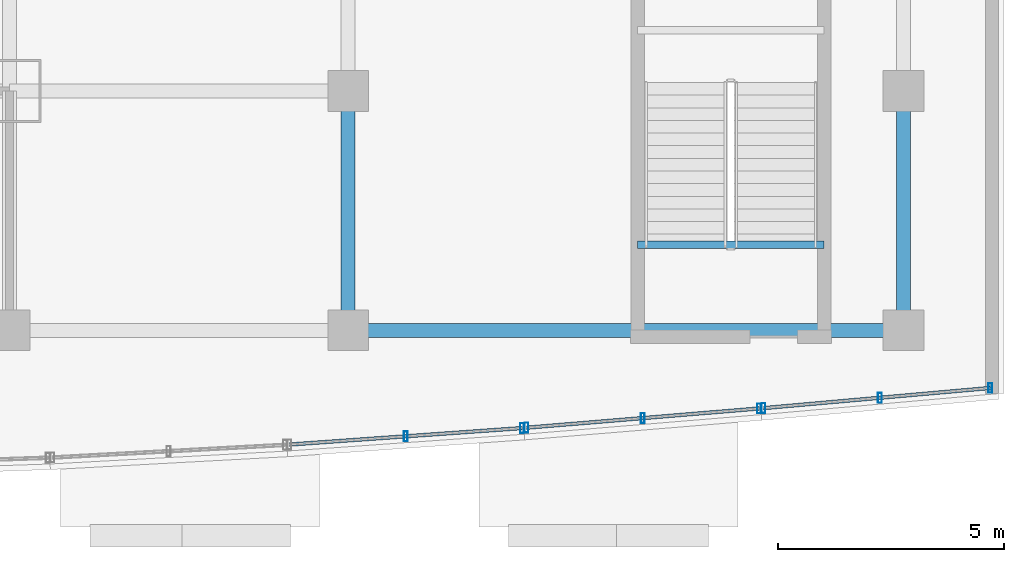
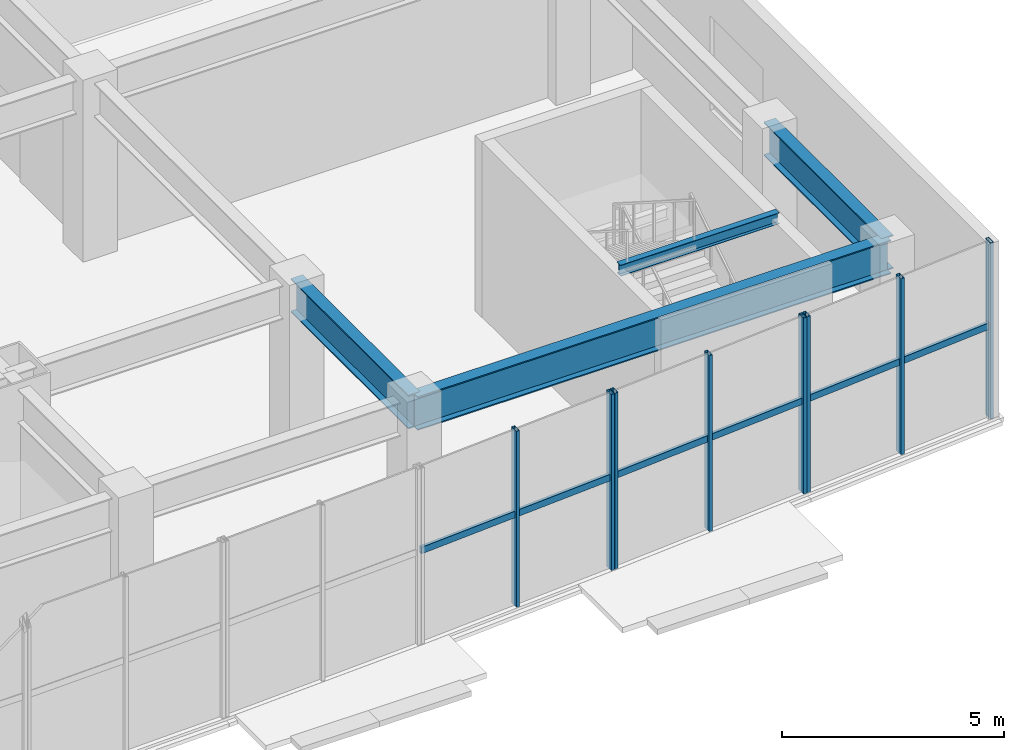
# One storey, part 9 of 24: 11 members, 4 beams, 3 elements without a shape of their own.
"""IFC4 building model written with IfcOpenShell, lengths in metres."""

import ifcopenshell
import ifcopenshell.guid

model = None  # the IFC model being written
_history = None  # IfcOwnerHistory: only IFC2X3 demands one
_inside = {}  # id of a spatial element -> (the spatial element, [elements in it])
_under = {}  # id of a project, library or spatial element -> (it, [spatial elements below it])
_declared = {}  # id of a project -> (the project, [libraries it declares])
_typed = {}  # id of a type object -> (the type object, [elements of that type])
_made_of = {}  # id of a material, layer set ... -> (it, [elements and type objects made of it])


def new_model(schema):
    """Start an empty IFC model of exactly this schema.

    Asked for "IFC4X3", IfcOpenShell would pick the latest addendum, in which some entities
    have other attributes; the version numbers below select the first issue.
    IFC2X3 requires an IfcOwnerHistory on every rooted entity: one is made here for all.
    """
    global model, _history
    if schema == "IFC4X3":
        model = ifcopenshell.file(schema_version=(4, 3, 0, 0))
    else:
        model = ifcopenshell.file(schema=schema)
    _inside.clear()
    _under.clear()
    _declared.clear()
    _typed.clear()
    _made_of.clear()
    _history = None
    if model.schema == "IFC2X3":
        org = make("IfcOrganization", Name="unknown")
        user = make(
            "IfcPersonAndOrganization",
            ThePerson=make("IfcPerson", FamilyName="unknown"),
            TheOrganization=org,
        )
        app = make(
            "IfcApplication",
            ApplicationDeveloper=org,
            Version="unknown",
            ApplicationFullName="unknown",
            ApplicationIdentifier="unknown",
        )
        _history = make(
            "IfcOwnerHistory",
            OwningUser=user,
            OwningApplication=app,
            ChangeAction="ADDED",
            CreationDate=0,
        )
    return model


def make(cls, **values):
    """One entity of the class cls with the attributes given. An attribute that is None is left unset."""
    return model.create_entity(
        cls, **{name: value for name, value in values.items() if value is not None}
    )


def rooted(cls, **values):
    """An entity with a GlobalId (a new one), such as an element, a storey or a relation."""
    return make(cls, GlobalId=ifcopenshell.guid.new(), OwnerHistory=_history, **values)


def si_unit(unit_type, name, prefix=None):
    """IfcSIUnit, for example si_unit("LENGTHUNIT", "METRE", prefix="MILLI")."""
    return make("IfcSIUnit", UnitType=unit_type, Prefix=prefix, Name=name)


def assignment(units):
    """IfcUnitAssignment: the units of a project."""
    return None if units is None else make("IfcUnitAssignment", Units=units)


def point(xyz):
    """IfcCartesianPoint."""
    return None if xyz is None else make("IfcCartesianPoint", Coordinates=xyz)


def direction(xyz):
    """IfcDirection."""
    return None if xyz is None else make("IfcDirection", DirectionRatios=xyz)


def frame(location, z_axis=None, x_axis=None):
    """IfcAxis2Placement3D, a coordinate frame: its origin and axes. An axis left out is left unset."""
    return make(
        "IfcAxis2Placement3D",
        Location=point(location),
        Axis=direction(z_axis),
        RefDirection=direction(x_axis),
    )


def frame_2d(location, x_axis=None):
    """IfcAxis2Placement2D, a coordinate frame in the plane: its origin and x axis."""
    return make(
        "IfcAxis2Placement2D", Location=point(location), RefDirection=direction(x_axis)
    )


def origin():
    """The frame at (0, 0, 0) with its axes left unset."""
    return frame((0.0, 0.0, 0.0))


def origin_2d():
    """The frame at (0, 0) in the plane with its x axis left unset."""
    return frame_2d((0.0, 0.0))


def place(relative_to, where):
    """IfcLocalPlacement: puts the frame where relative to a parent placement (None: the world)."""
    return make(
        "IfcLocalPlacement", PlacementRelTo=relative_to, RelativePlacement=where
    )


def context(
    kind, dimensions, precision=None, world=None, true_north=None, identifier=None
):
    """IfcGeometricRepresentationContext, for example the 3D "Model" context."""
    return make(
        "IfcGeometricRepresentationContext",
        ContextIdentifier=identifier,
        ContextType=kind,
        CoordinateSpaceDimension=dimensions,
        Precision=precision,
        WorldCoordinateSystem=world,
        TrueNorth=true_north,
    )


def subcontext(parent, identifier, kind, view, scale=None):
    """IfcGeometricRepresentationSubContext, for example "Body" below "Model"."""
    return make(
        "IfcGeometricRepresentationSubContext",
        ContextIdentifier=identifier,
        ContextType=kind,
        ParentContext=parent,
        TargetScale=scale,
        TargetView=view,
    )


def project(units=None, contexts=None):
    """IfcProject with its units and contexts."""
    return rooted(
        "IfcProject",
        Name="project",
        RepresentationContexts=contexts,
        UnitsInContext=assignment(units),
    )


def spatial(cls, under=None, at=None, **own):
    """A site, building, storey or space (cls), placed at a placement, below another one or the project."""
    s = rooted(cls, ObjectPlacement=at, **own)
    if under is not None:
        _under.setdefault(under.id(), (under, []))[1].append(s)
    return s


def profile(cls, at=None, kind="AREA", **sizes):
    """A parametric profile (cls). Its sizes go by their IFC names, for example OverallWidth=200.0."""
    return make(cls, ProfileType=kind, Position=at, **sizes)


def hollow_rectangle(**sizes):
    """IfcRectangleHollowProfileDef."""
    return profile("IfcRectangleHollowProfileDef", **sizes)


def i_section(**sizes):
    """IfcIShapeProfileDef."""
    return profile("IfcIShapeProfileDef", **sizes)


def extrude(swept, where, along, depth):
    """IfcExtrudedAreaSolid: the profile swept, set in the frame where, extruded along a direction by depth."""
    return make(
        "IfcExtrudedAreaSolid",
        SweptArea=swept,
        Position=where,
        ExtrudedDirection=direction(along),
        Depth=depth,
    )


def shape(context_of_items, identifier, shape_type, items):
    """IfcShapeRepresentation: the items that make up one representation, for example the "Body"."""
    return make(
        "IfcShapeRepresentation",
        ContextOfItems=context_of_items,
        RepresentationIdentifier=identifier,
        RepresentationType=shape_type,
        Items=items,
    )


def material(Name=None, Category=None):
    """IfcMaterial."""
    return make("IfcMaterial", Name=Name, Category=Category)


def layer(
    of_material, thickness, ventilated=None, Name=None, Category=None, Priority=None
):
    """IfcMaterialLayer: one layer of a wall or slab, of a material (None: an air gap)."""
    return make(
        "IfcMaterialLayer",
        Material=of_material,
        LayerThickness=thickness,
        IsVentilated=ventilated,
        Name=Name,
        Category=Category,
        Priority=Priority,
    )


def layer_set(layers, Name=None):
    """IfcMaterialLayerSet."""
    return make("IfcMaterialLayerSet", MaterialLayers=layers, LayerSetName=Name)


def material_profile(
    of_material, cross_section, Name=None, Category=None, Priority=None
):
    """IfcMaterialProfile: a cross section and its material."""
    return make(
        "IfcMaterialProfile",
        Name=Name,
        Material=of_material,
        Profile=cross_section,
        Priority=Priority,
        Category=Category,
    )


def profile_set(profiles, Name=None, composite=None):
    """IfcMaterialProfileSet."""
    return make(
        "IfcMaterialProfileSet",
        Name=Name,
        MaterialProfiles=profiles,
        CompositeProfile=composite,
    )


def made_of(thing, what):
    """Note that an element or type object is made of a material, layer set ...; save() writes the relation."""
    if what is not None:
        _made_of.setdefault(what.id(), (what, []))[1].append(thing)
    return thing


def type_object(cls, material=None, **own):
    """A type object (cls), such as IfcWallType, which elements share."""
    return made_of(rooted(cls, **own), material)


def element(
    cls,
    number,
    at=None,
    inside=None,
    cuts=None,
    type_object=None,
    material=None,
    context=None,
    identifier="Body",
    shape_type=None,
    held_by="IfcProductDefinitionShape",
    body=None,
    shapes=None,
    **own,
):
    """One element of the class cls, such as IfcWall. Its Tag is "e" and its number.

    at: its placement. inside: the storey or other place that contains it. cuts: it is an
    opening in that element (IfcRelVoidsElement). A single representation is given by context,
    identifier, shape_type and body (its items); several are given by shapes. held_by: the class
    of the entity that holds the representations. save() writes the other relations.
    """
    e = rooted(cls, Tag="e%d" % number, ObjectPlacement=at, **own)
    if body is not None:
        shapes = [shape(context, identifier, shape_type, body)]
    if shapes is not None:
        e.Representation = make(held_by, Representations=shapes)
    if inside is not None:
        _inside.setdefault(inside.id(), (inside, []))[1].append(e)
    if cuts is not None:
        rooted(
            "IfcRelVoidsElement", RelatingBuildingElement=cuts, RelatedOpeningElement=e
        )
    if type_object is not None:
        _typed.setdefault(type_object.id(), (type_object, []))[1].append(e)
    return made_of(e, material)


def aggregate(whole, parts):
    """IfcRelAggregates: a whole, such as a stair, and the parts it consists of."""
    return rooted("IfcRelAggregates", RelatingObject=whole, RelatedObjects=parts)


def save(model, path):
    """Write the relations noted so far, then the file.

    IfcRelAggregates (storeys below a building ...), IfcRelContainedInSpatialStructure (elements
    in a storey), IfcRelDefinesByType, IfcRelAssociatesMaterial and IfcRelDeclares: one each for
    every whole, place, type object, material and project.
    """
    for whole, parts in _under.values():
        aggregate(whole, parts)
    for where, things in _inside.values():
        rooted(
            "IfcRelContainedInSpatialStructure",
            RelatedElements=things,
            RelatingStructure=where,
        )
    for kind, things in _typed.values():
        rooted("IfcRelDefinesByType", RelatedObjects=things, RelatingType=kind)
    for what, things in _made_of.values():
        rooted("IfcRelAssociatesMaterial", RelatedObjects=things, RelatingMaterial=what)
    for by, libraries in _declared.values():
        rooted("IfcRelDeclares", RelatingContext=by, RelatedDefinitions=libraries)
    model.write(path)


model = new_model("IFC4")

# Units and contexts
model_context = context("Model", 3, precision=1e-05, world=origin(), true_north=direction((0.0, 1.0)))
body_context = subcontext(model_context, "Body", "Model", "MODEL_VIEW")
ifc_project = project(units=[si_unit("LENGTHUNIT", "METRE"), si_unit("AREAUNIT", "SQUARE_METRE"), si_unit("VOLUMEUNIT", "CUBIC_METRE"), si_unit("PLANEANGLEUNIT", "RADIAN"), si_unit("MASSUNIT", "GRAM", prefix="KILO")], contexts=[model_context])

# Site, building, storey
site_placement = place(None, origin())
site = spatial("IfcSite", under=ifc_project, at=site_placement, CompositionType="ELEMENT")
building_placement = place(site_placement, origin())
building = spatial("IfcBuilding", under=site, at=building_placement, Name="Vantalir Tower", CompositionType="ELEMENT")
storey_placement = place(building_placement, frame((0.0, 0.0, 6.0)))
storey = spatial("IfcBuildingStorey", under=building, at=storey_placement, Name="L01", CompositionType="ELEMENT", Elevation=6.0)

# Beams
ifc_material_1 = material(Name="Steel S355", Category="steel")
ifc_material_profile_1 = material_profile(ifc_material_1, i_section(OverallWidth=0.166015625, OverallDepth=0.306884765625, WebThickness=0.006591796875, FlangeThickness=0.01171875, at=origin_2d()), Name="Steel S355")
ifc_profile_set_1 = profile_set([ifc_material_profile_1], Name="Steel S355")
beam_type_1 = type_object("IfcBeamType", Name="BM-JS-305x165", PredefinedType="JOIST", material=ifc_profile_set_1)
beam_1_placement = place(storey_placement, frame((55.010009765625, 5.094970703125, 4.845947265625), z_axis=(1.0, 0.0, 0.0), x_axis=(0.0, 1.0, 0.0)))
element("IfcBeam", 1, at=beam_1_placement, inside=storey, type_object=beam_type_1, Name="Level 02 Stair PST4 Well Nosing Trimmer Beam", PredefinedType="JOIST", context=body_context, shape_type="SweptSolid", body=[
    extrude(i_section(OverallWidth=0.166015625, OverallDepth=0.306884765625, WebThickness=0.006591796875, FlangeThickness=0.01171875, at=origin_2d()), origin(), (0.0, 0.0, 1.0), 4.1298828125),
])
ifc_material_profile_2 = material_profile(ifc_material_1, i_section(OverallWidth=0.30810546875, OverallDepth=0.927001953125, WebThickness=0.01953125, FlangeThickness=0.031982421875, at=origin_2d()), Name="Steel S355")
ifc_profile_set_2 = profile_set([ifc_material_profile_2], Name="Steel S355")
beam_type_2 = type_object("IfcBeamType", Name="BM-PG-914x305", PredefinedType="USERDEFINED", material=ifc_profile_set_2)
beam_2_placement = place(storey_placement, frame((48.60009765625, 3.199951171875, 4.35595703125), z_axis=(1.0, 0.0, 0.0), x_axis=(0.0, 1.0, 0.0)))
element("IfcBeam", 2, at=beam_2_placement, inside=storey, type_object=beam_type_2, Name="Level 01 Podium E-W Girder 06", ObjectType="GIRDER", PredefinedType="USERDEFINED", context=body_context, shape_type="SweptSolid", body=[
    extrude(i_section(OverallWidth=0.30810546875, OverallDepth=0.927001953125, WebThickness=0.01953125, FlangeThickness=0.031982421875, at=origin_2d()), origin(), (0.0, 0.0, 1.0), 12.2998046875),
])
for number, where, z_axis, x_axis, name in (
    (3, (48.60009765625, 3.199951171875, 4.35595703125), (0.0, 1.0, 0.0), (-1.0, 0.0, 0.0), "Level 01 Podium N-S Girder 74"),
    (4, (60.89990234375, 3.199951171875, 4.35595703125), (0.0, 1.0, 0.0), (-1.0, 0.0, 0.0), "Level 01 Podium N-S Girder 80"),
):
    element("IfcBeam", number, at=place(storey_placement, frame(where, z_axis=z_axis, x_axis=x_axis)), inside=storey, type_object=beam_type_2, Name=name, ObjectType="GIRDER", PredefinedType="USERDEFINED", context=body_context, shape_type="SweptSolid", body=[
        extrude(i_section(OverallWidth=0.30810546875, OverallDepth=0.927001953125, WebThickness=0.01953125, FlangeThickness=0.031982421875, at=origin_2d()), origin(), (0.0, 0.0, 1.0), 5.300048828125),
    ])

# Curtain wall, members
ifc_material_2 = material(Name="Champagne-silver PVDF aluminium and double-silver Low-E glass", Category="aluminium")
ifc_layer = layer(ifc_material_2, 0.239990234375)
ifc_layer_set = layer_set([ifc_layer], Name="Champagne-silver PVDF aluminium and double-silver Low-E glass")
curtain_wall_type = type_object("IfcCurtainWallType", Name="CW-PODIUM-WF", PredefinedType="USERDEFINED", material=ifc_layer_set)
curtain_wall_1_placement = place(storey_placement, origin())
curtain_wall_1 = element("IfcCurtainWall", 5, at=curtain_wall_1_placement, inside=storey, type_object=curtain_wall_type, Name="Level 01 Waterfront Stick Curtain Wall 10", ObjectType="STICK CURTAIN WALL", PredefinedType="USERDEFINED")
ifc_material_3 = material(Name="Champagne-silver PVDF aluminium 6063-T6", Category="aluminium")
ifc_material_profile_3 = material_profile(ifc_material_3, hollow_rectangle(XDim=0.0849609375, YDim=0.219970703125, WallThickness=0.0048828125, at=origin_2d()), Name="Champagne-silver PVDF aluminium 6063-T6")
ifc_profile_set_3 = profile_set([ifc_material_profile_3], Name="Champagne-silver PVDF aluminium 6063-T6")
member_type_1 = type_object("IfcMemberType", Name="CWM-220x85", PredefinedType="MULLION", material=ifc_profile_set_3)
member_1_placement = place(storey_placement, frame((49.875, 0.85400390625, -0.011962890625), z_axis=(0.0, 0.0, 1.0), x_axis=(1.0, 0.0, 0.0)))
member_1 = element("IfcMember", 6, at=member_1_placement, type_object=member_type_1, Name="CW-L01-WF-10 Mullion 2", PredefinedType="MULLION", context=body_context, shape_type="SweptSolid", body=[
    extrude(hollow_rectangle(XDim=0.0849609375, YDim=0.219970703125, WallThickness=0.0048828125, at=origin_2d()), origin(), (0.0, 0.0, 1.0), 4.843994140625),
])
member_2_placement = place(storey_placement, frame((52.449951171875, 1.035888671875, -0.011962890625), z_axis=(0.0, 0.0, 1.0), x_axis=(1.0, 0.0, 0.0)))
member_2 = element("IfcMember", 7, at=member_2_placement, type_object=member_type_1, Name="CW-L01-WF-10 Mullion 3", PredefinedType="MULLION", context=body_context, shape_type="SweptSolid", body=[
    extrude(hollow_rectangle(XDim=0.0849609375, YDim=0.219970703125, WallThickness=0.0048828125, at=origin_2d()), origin(), (0.0, 0.0, 1.0), 4.843994140625),
])

curtain_wall_2_placement = place(storey_placement, origin())
curtain_wall_2 = element("IfcCurtainWall", 8, at=curtain_wall_2_placement, inside=storey, type_object=curtain_wall_type, Name="Level 01 Waterfront Stick Curtain Wall 11", ObjectType="STICK CURTAIN WALL", PredefinedType="USERDEFINED")
member_3_placement = place(storey_placement, frame((52.550048828125, 1.0439453125, -0.011962890625), z_axis=(0.0, 0.0, 1.0), x_axis=(1.0, 0.0, 0.0)))
member_3 = element("IfcMember", 9, at=member_3_placement, type_object=member_type_1, Name="CW-L01-WF-11 Mullion 1", PredefinedType="MULLION", context=body_context, shape_type="SweptSolid", body=[
    extrude(hollow_rectangle(XDim=0.0849609375, YDim=0.219970703125, WallThickness=0.0048828125, at=origin_2d()), origin(), (0.0, 0.0, 1.0), 4.843994140625),
])
member_4_placement = place(storey_placement, frame((55.125, 1.257080078125, -0.011962890625), z_axis=(0.0, 0.0, 1.0), x_axis=(1.0, 0.0, 0.0)))
member_4 = element("IfcMember", 10, at=member_4_placement, type_object=member_type_1, Name="CW-L01-WF-11 Mullion 2", PredefinedType="MULLION", context=body_context, shape_type="SweptSolid", body=[
    extrude(hollow_rectangle(XDim=0.0849609375, YDim=0.219970703125, WallThickness=0.0048828125, at=origin_2d()), origin(), (0.0, 0.0, 1.0), 4.843994140625),
])
member_5_placement = place(storey_placement, frame((57.699951171875, 1.469970703125, -0.011962890625), z_axis=(0.0, 0.0, 1.0), x_axis=(1.0, 0.0, 0.0)))
member_5 = element("IfcMember", 11, at=member_5_placement, type_object=member_type_1, Name="CW-L01-WF-11 Mullion 3", PredefinedType="MULLION", context=body_context, shape_type="SweptSolid", body=[
    extrude(hollow_rectangle(XDim=0.0849609375, YDim=0.219970703125, WallThickness=0.0048828125, at=origin_2d()), origin(), (0.0, 0.0, 1.0), 4.843994140625),
])

curtain_wall_3_placement = place(storey_placement, origin())
curtain_wall_3 = element("IfcCurtainWall", 12, at=curtain_wall_3_placement, inside=storey, type_object=curtain_wall_type, Name="Level 01 Waterfront Stick Curtain Wall 12", ObjectType="STICK CURTAIN WALL", PredefinedType="USERDEFINED")
member_6_placement = place(storey_placement, frame((57.800048828125, 1.47802734375, -0.011962890625), z_axis=(0.0, 0.0, 1.0), x_axis=(1.0, 0.0, 0.0)))
member_6 = element("IfcMember", 13, at=member_6_placement, type_object=member_type_1, Name="CW-L01-WF-12 Mullion 1", PredefinedType="MULLION", context=body_context, shape_type="SweptSolid", body=[
    extrude(hollow_rectangle(XDim=0.0849609375, YDim=0.219970703125, WallThickness=0.0048828125, at=origin_2d()), origin(), (0.0, 0.0, 1.0), 4.843994140625),
])
member_7_placement = place(storey_placement, frame((60.375, 1.70703125, -0.011962890625), z_axis=(0.0, 0.0, 1.0), x_axis=(1.0, 0.0, 0.0)))
member_7 = element("IfcMember", 14, at=member_7_placement, type_object=member_type_1, Name="CW-L01-WF-12 Mullion 2", PredefinedType="MULLION", context=body_context, shape_type="SweptSolid", body=[
    extrude(hollow_rectangle(XDim=0.0849609375, YDim=0.219970703125, WallThickness=0.0048828125, at=origin_2d()), origin(), (0.0, 0.0, 1.0), 4.843994140625),
])
member_8_placement = place(storey_placement, frame((62.821044921875, 1.924072265625, -0.011962890625), z_axis=(0.0, 0.0, 1.0), x_axis=(1.0, 0.0, 0.0)))
member_8 = element("IfcMember", 15, at=member_8_placement, type_object=member_type_1, Name="CW-L01-WF-12 Mullion 3", PredefinedType="MULLION", context=body_context, shape_type="SweptSolid", body=[
    extrude(hollow_rectangle(XDim=0.0849609375, YDim=0.219970703125, WallThickness=0.0048828125, at=origin_2d()), origin(), (0.0, 0.0, 1.0), 4.843994140625),
])

# Member
ifc_material_profile_4 = material_profile(ifc_material_3, hollow_rectangle(XDim=0.080078125, YDim=0.179931640625, WallThickness=0.0048828125, at=origin_2d()), Name="Champagne-silver PVDF aluminium 6063-T6")
ifc_profile_set_4 = profile_set([ifc_material_profile_4], Name="Champagne-silver PVDF aluminium 6063-T6")
member_type_2 = type_object("IfcMemberType", Name="CWT-180x80", PredefinedType="USERDEFINED", material=ifc_profile_set_4)
member_9_placement = place(storey_placement, frame((47.300048828125, 0.6708984375, 2.506103515625), z_axis=(0.997497914419, 0.070695903198, 0.0), x_axis=(-0.070695903198, 0.997497914419, 0.0)))
member_9 = element("IfcMember", 16, at=member_9_placement, type_object=member_type_2, Name="CW-L01-WF-10 Transom 1", ObjectType="TRANSOM", PredefinedType="USERDEFINED", context=body_context, shape_type="SweptSolid", body=[
    extrude(hollow_rectangle(XDim=0.080078125, YDim=0.179931640625, WallThickness=0.0048828125, at=origin_2d()), origin(), (0.0, 0.0, 1.0), 5.162841796875),
])

aggregate(curtain_wall_1, [member_1, member_2, member_9])

member_10_placement = place(storey_placement, frame((52.550048828125, 1.0439453125, 2.506103515625), z_axis=(0.996595754271, 0.08244332944, 0.0), x_axis=(-0.08244332944, 0.996595754271, 0.0)))
member_10 = element("IfcMember", 17, at=member_10_placement, type_object=member_type_2, Name="CW-L01-WF-11 Transom 1", ObjectType="TRANSOM", PredefinedType="USERDEFINED", context=body_context, shape_type="SweptSolid", body=[
    extrude(hollow_rectangle(XDim=0.080078125, YDim=0.179931640625, WallThickness=0.0048828125, at=origin_2d()), origin(), (0.0, 0.0, 1.0), 5.16748046875),
])

aggregate(curtain_wall_2, [member_3, member_4, member_5, member_10])

member_11_placement = place(storey_placement, frame((57.800048828125, 1.47802734375, 2.506103515625), z_axis=(0.996077290425, 0.088487465215, 0.0), x_axis=(-0.088487465215, 0.996077290425, 0.0)))
member_11 = element("IfcMember", 18, at=member_11_placement, type_object=member_type_2, Name="CW-L01-WF-12 Transom 1", ObjectType="TRANSOM", PredefinedType="USERDEFINED", context=body_context, shape_type="SweptSolid", body=[
    extrude(hollow_rectangle(XDim=0.080078125, YDim=0.179931640625, WallThickness=0.0048828125, at=origin_2d()), origin(), (0.0, 0.0, 1.0), 5.040771484375),
])

aggregate(curtain_wall_3, [member_6, member_7, member_8, member_11])

save(model, "model.ifc")
